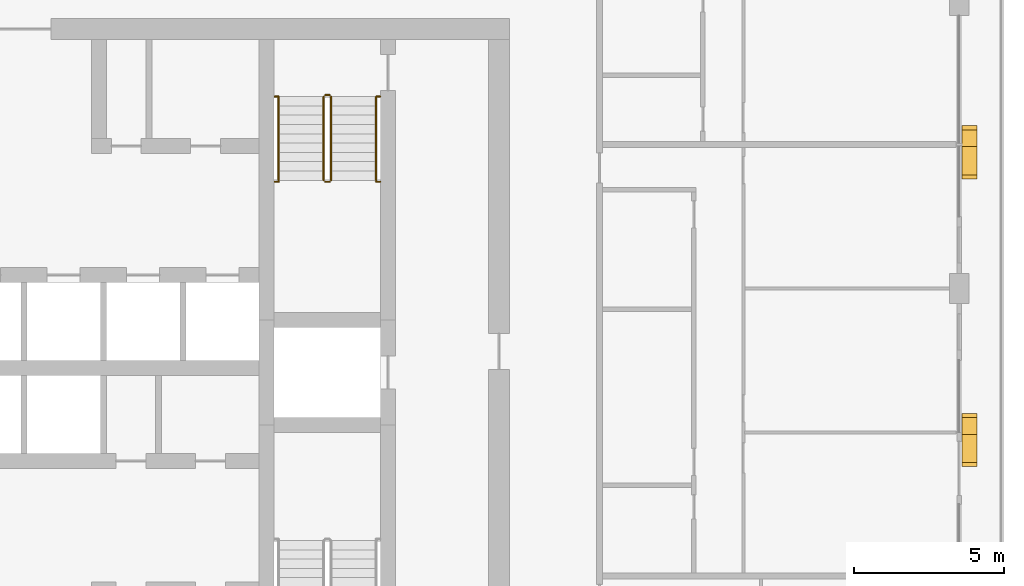
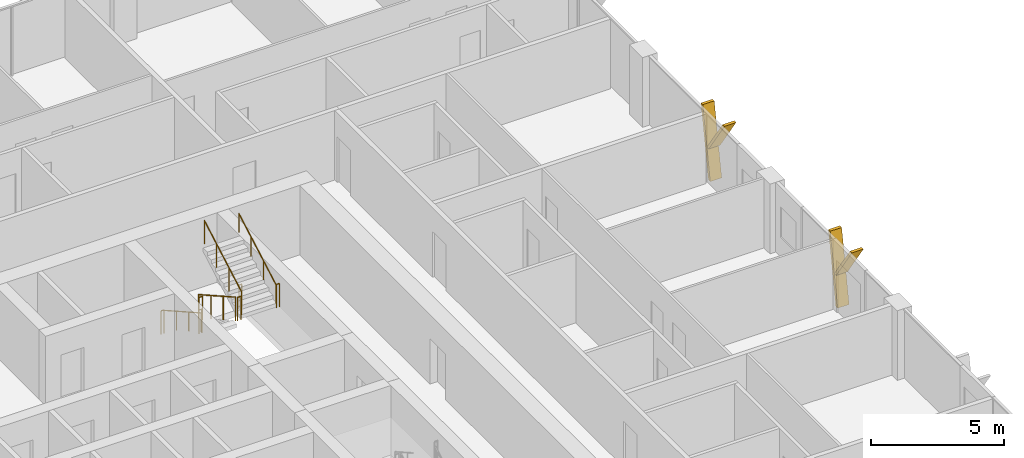
# One storey, part 22 of 23: 10 railings, 4 shading devices.
"""IFC4 building model written with IfcOpenShell, lengths in metres."""

from ifc_helpers import new_model, si_unit, direction, frame, origin, origin_2d, place, context, subcontext, project, spatial, polyline, circle, outline, extrude, material, type_object, element, save


model = new_model("IFC4")

# Units and contexts
model_context = context("Model", 3, precision=1e-05, world=origin(), true_north=direction((0.0, 1.0)))
body_context = subcontext(model_context, "Body", "Model", "MODEL_VIEW")
ifc_project = project(units=[si_unit("LENGTHUNIT", "METRE"), si_unit("AREAUNIT", "SQUARE_METRE"), si_unit("VOLUMEUNIT", "CUBIC_METRE"), si_unit("PLANEANGLEUNIT", "RADIAN"), si_unit("MASSUNIT", "GRAM", prefix="KILO")], contexts=[model_context])

# Site, building, storey
site_placement = place(None, origin())
site = spatial("IfcSite", under=ifc_project, at=site_placement, CompositionType="ELEMENT")
building_placement = place(site_placement, origin())
building = spatial("IfcBuilding", under=site, at=building_placement, Name="Madar Terraces", CompositionType="ELEMENT")
storey_placement = place(building_placement, frame((0.0, 0.0, 222.800048828125)))
storey = spatial("IfcBuildingStorey", under=building, at=storey_placement, Name="L58", CompositionType="ELEMENT", Elevation=222.800048828125)

# Shading devices
ifc_material_1 = material(Name="Aluminium, black anodised", Category="aluminium")
shading_device_type = type_object("IfcShadingDeviceType", Name="Facade fin blade 140 x 500", PredefinedType="USERDEFINED", material=ifc_material_1)
shading_device_1_placement = place(storey_placement, frame((62.75, 23.929931640625, 0.0), z_axis=(0.0, 0.0, 1.0), x_axis=(0.0, 1.0, 0.0)))
element("IfcShadingDevice", 1, at=shading_device_1_placement, inside=storey, type_object=shading_device_type, Name="FIN L58 E2", ObjectType="FIN", PredefinedType="USERDEFINED", context=body_context, shape_type="SweptSolid", body=[
    extrude(outline(polyline([(0.0, 0.0), (0.14013671875, 0.0), (0.704345703125, 3.199951171875), (0.564208984375, 3.199951171875), (0.0, 0.0)])), frame((0.0, 0.25, 0.0), z_axis=(0.0, -1.0, 0.0), x_axis=(1.0, 0.0, 0.0)), (0.0, 0.0, 1.0), 0.5),
])
shading_device_2_placement = place(storey_placement, frame((62.75, 24.0439453125, 1.43994140625), z_axis=(0.0, 0.0, 1.0), x_axis=(0.0, 1.0, 0.0)))
element("IfcShadingDevice", 2, at=shading_device_2_placement, inside=storey, type_object=shading_device_type, Name="FIN L58 E2 branch", ObjectType="FIN", PredefinedType="USERDEFINED", context=body_context, shape_type="SweptSolid", body=[
    extrude(outline(polyline([(0.0, 0.0), (0.139892578125, 0.0), (-1.049560546875, 1.760009765625), (-1.189697265625, 1.760009765625), (0.0, 0.0)])), frame((0.0, 0.25, 0.0), z_axis=(0.0, -1.0, 0.0), x_axis=(1.0, 0.0, 0.0)), (0.0, 0.0, 1.0), 0.5),
])
shading_device_3_placement = place(storey_placement, frame((62.75, 33.530029296875, 0.0), z_axis=(0.0, 0.0, 1.0), x_axis=(0.0, 1.0, 0.0)))
element("IfcShadingDevice", 3, at=shading_device_3_placement, inside=storey, type_object=shading_device_type, Name="FIN L58 E3", ObjectType="FIN", PredefinedType="USERDEFINED", context=body_context, shape_type="SweptSolid", body=[
    extrude(outline(polyline([(0.0, 0.0), (0.139892578125, 0.0), (0.704345703125, 3.199951171875), (0.564208984375, 3.199951171875), (0.0, 0.0)])), frame((0.0, 0.25, 0.0), z_axis=(0.0, -1.0, 0.0), x_axis=(1.0, 0.0, 0.0)), (0.0, 0.0, 1.0), 0.5),
])
shading_device_4_placement = place(storey_placement, frame((62.75, 33.643798828125, 1.43994140625), z_axis=(0.0, 0.0, 1.0), x_axis=(0.0, 1.0, 0.0)))
element("IfcShadingDevice", 4, at=shading_device_4_placement, inside=storey, type_object=shading_device_type, Name="FIN L58 E3 branch", ObjectType="FIN", PredefinedType="USERDEFINED", context=body_context, shape_type="SweptSolid", body=[
    extrude(outline(polyline([(0.0, 0.0), (0.14013671875, 0.0), (-1.049560546875, 1.760009765625), (-1.189697265625, 1.760009765625), (0.0, 0.0)])), frame((0.0, 0.25, 0.0), z_axis=(0.0, -1.0, 0.0), x_axis=(1.0, 0.0, 0.0)), (0.0, 0.0, 1.0), 0.5),
])

# Railings
ifc_material_2 = material(Name="Stainless steel railing", Category="steel")
railing_type_1 = type_object("IfcRailingType", Name="Stair guard 1100", PredefinedType="GUARDRAIL", material=ifc_material_2)
railing_1_placement = place(storey_placement, frame((41.199951171875, 35.199951171875, 0.175048828125)))
element("IfcRailing", 5, at=railing_1_placement, inside=storey, type_object=railing_type_1, Name="L58 ST2 stair guard 1", PredefinedType="GUARDRAIL", context=body_context, shape_type="SweptSolid", body=[
    extrude(circle(Radius=0.02392578125, at=origin_2d()), frame((0.0, 0.0, 1.076171875), z_axis=(0.0, -0.870833779661, 0.491577591232), x_axis=(1.0, 0.0, 0.0)), (0.0, 0.0, 1.0), 3.203857421875),
    extrude(circle(Radius=0.02099609375, at=origin_2d()), origin(), (0.0, 0.0, 1.0), 1.052001953125),
    extrude(circle(Radius=0.02099609375, at=origin_2d()), frame((0.0, -0.929931640625, 0.52490234375)), (0.0, 0.0, 1.0), 1.052001953125),
    extrude(circle(Radius=0.02099609375, at=origin_2d()), frame((0.0, -1.860107421875, 1.050048828125)), (0.0, 0.0, 1.0), 1.052001953125),
    extrude(circle(Radius=0.02099609375, at=origin_2d()), frame((0.0, -2.7900390625, 1.574951171875)), (0.0, 0.0, 1.0), 1.052001953125),
])
railing_2_placement = place(storey_placement, frame((41.25, 32.360107421875, 1.75)))
element("IfcRailing", 6, at=railing_2_placement, inside=storey, type_object=railing_type_1, Name="L58 ST2 stair guard 2", PredefinedType="GUARDRAIL", context=body_context, shape_type="SweptSolid", body=[
    extrude(circle(Radius=0.02392578125, at=origin_2d()), frame((0.0, 0.0, 1.076171875), z_axis=(1.0, 0.0, 0.0), x_axis=(0.0, 1.0, 0.0)), (0.0, 0.0, 1.0), 0.14990234375),
    extrude(circle(Radius=0.02099609375, at=origin_2d()), origin(), (0.0, 0.0, 1.0), 1.052001953125),
    extrude(circle(Radius=0.02099609375, at=origin_2d()), frame((0.14990234375, 0.0, 0.0)), (0.0, 0.0, 1.0), 1.052001953125),
])
railing_3_placement = place(storey_placement, frame((41.449951171875, 32.409912109375, 1.925048828125)))
element("IfcRailing", 7, at=railing_3_placement, inside=storey, type_object=railing_type_1, Name="L58 ST2 stair guard 3", PredefinedType="GUARDRAIL", context=body_context, shape_type="SweptSolid", body=[
    extrude(circle(Radius=0.02392578125, at=origin_2d()), frame((0.0, 0.0, 1.076171875), z_axis=(0.0, 0.870833779661, 0.491577591232), x_axis=(-1.0, 0.0, 0.0)), (0.0, 0.0, 1.0), 3.203857421875),
    extrude(circle(Radius=0.02099609375, at=origin_2d()), origin(), (0.0, 0.0, 1.0), 1.052001953125),
    extrude(circle(Radius=0.02099609375, at=origin_2d()), frame((0.0, 0.929931640625, 0.52490234375)), (0.0, 0.0, 1.0), 1.052001953125),
    extrude(circle(Radius=0.02099609375, at=origin_2d()), frame((0.0, 1.860107421875, 1.050048828125)), (0.0, 0.0, 1.0), 1.052001953125),
    extrude(circle(Radius=0.02099609375, at=origin_2d()), frame((0.0, 2.7900390625, 1.574951171875)), (0.0, 0.0, 1.0), 1.052001953125),
])
railing_4_placement = place(storey_placement, frame((41.25, 35.25, 0.0)))
element("IfcRailing", 8, at=railing_4_placement, inside=storey, type_object=railing_type_1, Name="L58 ST2 stair guard 4", PredefinedType="GUARDRAIL", context=body_context, shape_type="SweptSolid", body=[
    extrude(circle(Radius=0.02392578125, at=origin_2d()), frame((0.0, 0.0, 1.076171875), z_axis=(1.0, 0.0, 0.0), x_axis=(0.0, 1.0, 0.0)), (0.0, 0.0, 1.0), 0.14990234375),
    extrude(circle(Radius=0.02099609375, at=origin_2d()), origin(), (0.0, 0.0, 1.0), 1.052001953125),
    extrude(circle(Radius=0.02099609375, at=origin_2d()), frame((0.14990234375, 0.0, 0.0)), (0.0, 0.0, 1.0), 1.052001953125),
])
railing_5_placement = place(storey_placement, frame((39.570068359375, 32.360107421875, 1.75)))
element("IfcRailing", 9, at=railing_5_placement, inside=storey, type_object=railing_type_1, Name="L58 stair guard seat 1", PredefinedType="GUARDRAIL", context=body_context, shape_type="SweptSolid", body=[
    extrude(circle(Radius=0.02392578125, at=origin_2d()), frame((0.0, 0.0, 1.076171875), z_axis=(1.0, 0.0, 0.0), x_axis=(0.0, 1.0, 0.0)), (0.0, 0.0, 1.0), 0.1298828125),
    extrude(circle(Radius=0.02099609375, at=origin_2d()), origin(), (0.0, 0.0, 1.0), 1.052001953125),
    extrude(circle(Radius=0.02099609375, at=origin_2d()), frame((0.1298828125, 0.0, 0.0)), (0.0, 0.0, 1.0), 1.052001953125),
])
railing_6_placement = place(storey_placement, frame((42.949951171875, 32.360107421875, 1.75)))
element("IfcRailing", 10, at=railing_6_placement, inside=storey, type_object=railing_type_1, Name="L58 stair guard seat 2", PredefinedType="GUARDRAIL", context=body_context, shape_type="SweptSolid", body=[
    extrude(circle(Radius=0.02392578125, at=origin_2d()), frame((0.0, 0.0, 1.076171875), z_axis=(1.0, 0.0, 0.0), x_axis=(0.0, 1.0, 0.0)), (0.0, 0.0, 1.0), 0.130126953125),
    extrude(circle(Radius=0.02099609375, at=origin_2d()), origin(), (0.0, 0.0, 1.0), 1.052001953125),
    extrude(circle(Radius=0.02099609375, at=origin_2d()), frame((0.130126953125, 0.0, 0.0)), (0.0, 0.0, 1.0), 1.052001953125),
])
railing_7_placement = place(storey_placement, frame((39.570068359375, 35.199951171875, 0.0)))
element("IfcRailing", 11, at=railing_7_placement, inside=storey, type_object=railing_type_1, Name="L58 stair guard floor 1", PredefinedType="GUARDRAIL", context=body_context, shape_type="SweptSolid", body=[
    extrude(circle(Radius=0.02392578125, at=origin_2d()), frame((0.0, 0.0, 1.076171875), z_axis=(1.0, 0.0, 0.0), x_axis=(0.0, 1.0, 0.0)), (0.0, 0.0, 1.0), 0.1298828125),
    extrude(circle(Radius=0.02099609375, at=origin_2d()), origin(), (0.0, 0.0, 1.0), 1.052001953125),
    extrude(circle(Radius=0.02099609375, at=origin_2d()), frame((0.1298828125, 0.0, 0.0)), (0.0, 0.0, 1.0), 1.052001953125),
])
railing_8_placement = place(storey_placement, frame((42.949951171875, 35.199951171875, 0.0)))
element("IfcRailing", 12, at=railing_8_placement, inside=storey, type_object=railing_type_1, Name="L58 stair guard floor 2", PredefinedType="GUARDRAIL", context=body_context, shape_type="SweptSolid", body=[
    extrude(circle(Radius=0.02392578125, at=origin_2d()), frame((0.0, 0.0, 1.076171875), z_axis=(1.0, 0.0, 0.0), x_axis=(0.0, 1.0, 0.0)), (0.0, 0.0, 1.0), 0.130126953125),
    extrude(circle(Radius=0.02099609375, at=origin_2d()), origin(), (0.0, 0.0, 1.0), 1.052001953125),
    extrude(circle(Radius=0.02099609375, at=origin_2d()), frame((0.130126953125, 0.0, 0.0)), (0.0, 0.0, 1.0), 1.052001953125),
])
ifc_material_3 = material(Name="Stainless steel railing", Category="steel")
railing_type_2 = type_object("IfcRailingType", Name="Stair handrail 900", PredefinedType="HANDRAIL", material=ifc_material_3)
railing_9_placement = place(storey_placement, frame((39.699951171875, 35.199951171875, 0.175048828125)))
element("IfcRailing", 13, at=railing_9_placement, inside=storey, type_object=railing_type_2, Name="L58 ST2 stair handrail 1", PredefinedType="HANDRAIL", context=body_context, shape_type="SweptSolid", body=[
    extrude(circle(Radius=0.02392578125, at=origin_2d()), frame((0.0, 0.0, 0.8759765625), z_axis=(0.0, -0.870833779661, 0.491577591232), x_axis=(1.0, 0.0, 0.0)), (0.0, 0.0, 1.0), 3.203857421875),
    extrude(circle(Radius=0.02099609375, at=origin_2d()), origin(), (0.0, 0.0, 1.0), 0.851806640625),
    extrude(circle(Radius=0.02099609375, at=origin_2d()), frame((0.0, -0.929931640625, 0.52490234375)), (0.0, 0.0, 1.0), 0.851806640625),
    extrude(circle(Radius=0.02099609375, at=origin_2d()), frame((0.0, -1.860107421875, 1.050048828125)), (0.0, 0.0, 1.0), 0.851806640625),
    extrude(circle(Radius=0.02099609375, at=origin_2d()), frame((0.0, -2.7900390625, 1.574951171875)), (0.0, 0.0, 1.0), 0.851806640625),
])
railing_10_placement = place(storey_placement, frame((42.949951171875, 32.409912109375, 1.925048828125)))
element("IfcRailing", 14, at=railing_10_placement, inside=storey, type_object=railing_type_2, Name="L58 ST2 stair handrail 2", PredefinedType="HANDRAIL", context=body_context, shape_type="SweptSolid", body=[
    extrude(circle(Radius=0.02392578125, at=origin_2d()), frame((0.0, 0.0, 0.8759765625), z_axis=(0.0, 0.870833779661, 0.491577591232), x_axis=(-1.0, 0.0, 0.0)), (0.0, 0.0, 1.0), 3.203857421875),
    extrude(circle(Radius=0.02099609375, at=origin_2d()), origin(), (0.0, 0.0, 1.0), 0.851806640625),
    extrude(circle(Radius=0.02099609375, at=origin_2d()), frame((0.0, 0.929931640625, 0.52490234375)), (0.0, 0.0, 1.0), 0.851806640625),
    extrude(circle(Radius=0.02099609375, at=origin_2d()), frame((0.0, 1.860107421875, 1.050048828125)), (0.0, 0.0, 1.0), 0.851806640625),
    extrude(circle(Radius=0.02099609375, at=origin_2d()), frame((0.0, 2.7900390625, 1.574951171875)), (0.0, 0.0, 1.0), 0.851806640625),
])

save(model, "model.ifc")
